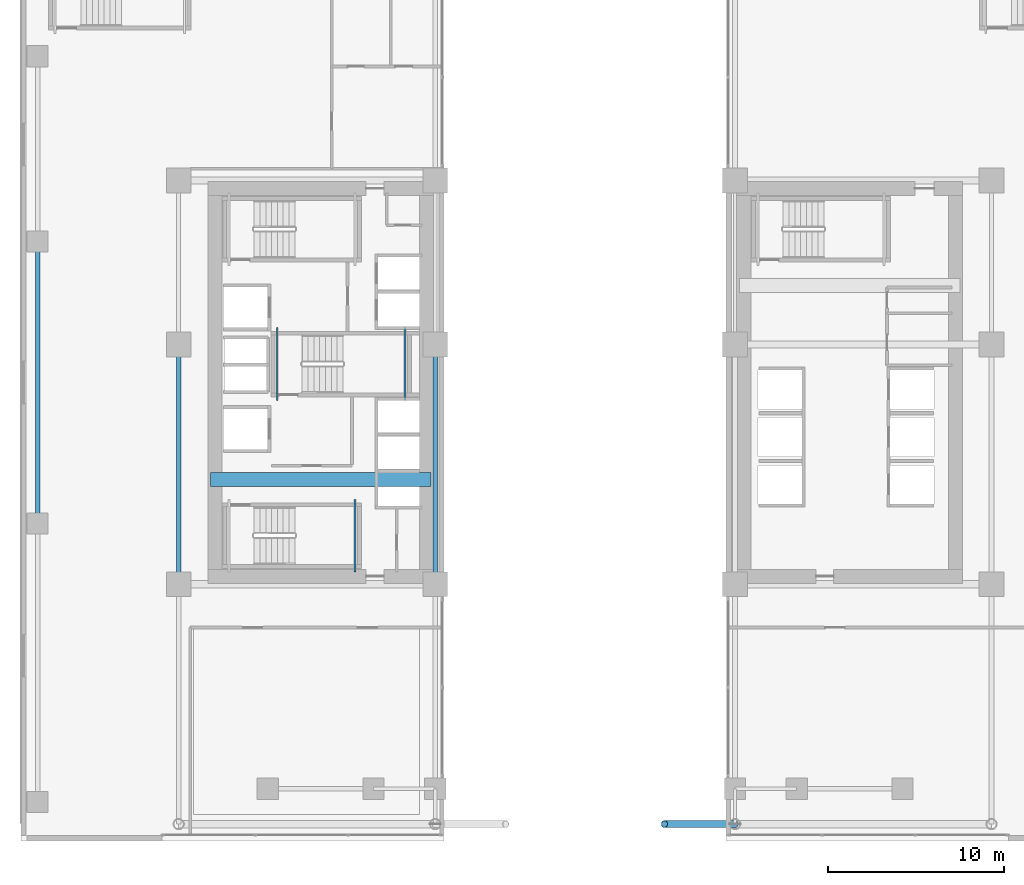
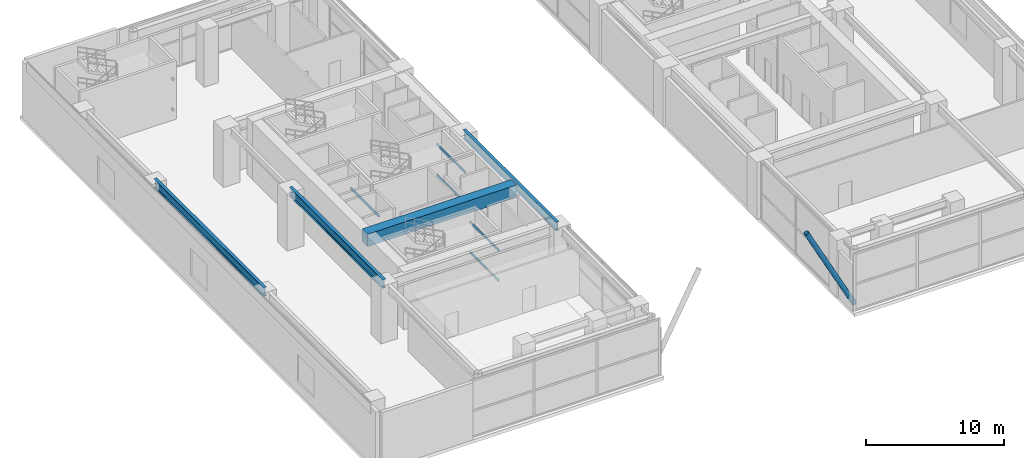
# One storey, part 7 of 29: 9 beams, 1 member.
"""IFC4 building model written with IfcOpenShell, lengths in metres."""

from ifc_helpers import new_model, si_unit, direction, frame, origin, origin_2d, place, context, subcontext, project, spatial, rectangle, hollow_rectangle, hollow_circle, i_section, extrude, source, transform, mapped, material, material_profile, profile_set, type_object, element, save


model = new_model("IFC4")

# Units and contexts
model_context = context("Model", 3, precision=1e-05, world=origin(), true_north=direction((0.0, 1.0)))
body_context = subcontext(model_context, "Body", "Model", "MODEL_VIEW")
ifc_project = project(units=[si_unit("LENGTHUNIT", "METRE"), si_unit("AREAUNIT", "SQUARE_METRE"), si_unit("VOLUMEUNIT", "CUBIC_METRE"), si_unit("PLANEANGLEUNIT", "RADIAN"), si_unit("MASSUNIT", "GRAM", prefix="KILO")], contexts=[model_context])

# Site, building, storey
site_placement = place(None, origin())
site = spatial("IfcSite", under=ifc_project, at=site_placement, CompositionType="ELEMENT")
building_placement = place(site_placement, origin())
building = spatial("IfcBuilding", under=site, at=building_placement, Name="Ocotamira Hotel", CompositionType="ELEMENT")
storey_placement = place(building_placement, frame((0.0, 0.0, 6.0)))
storey = spatial("IfcBuildingStorey", under=building, at=storey_placement, Name="L02", CompositionType="ELEMENT", Elevation=6.0)

# Beams
ifc_material_1 = material(Name="Concrete C60/75", Category="concrete")
ifc_material_profile_1 = material_profile(ifc_material_1, rectangle(XDim=0.800048828125, YDim=1.10009765625, at=origin_2d()), Name="RC800X1100")
ifc_profile_set_1 = profile_set([ifc_material_profile_1], Name="Concrete C60/75")
beam_type_1 = type_object("IfcBeamType", Name="BM-LINK-RC800", PredefinedType="LINTEL", material=ifc_profile_set_1)
shared_shape_1 = source(origin(), body_context, "Body", "SweptSolid", [
    extrude(rectangle(XDim=0.800048828125, YDim=1.10009765625, at=origin_2d()), origin(), (0.0, 0.0, 1.0), 12.5),
])
beam_1_placement = place(storey_placement, frame((10.75, 20.5, 4.530029296875), z_axis=(1.0, 0.0, 0.0), x_axis=(0.0, 1.0, 0.0)))
element("IfcBeam", 1, at=beam_1_placement, inside=storey, type_object=beam_type_1, Name="L02 West Core Coupling Beam", PredefinedType="LINTEL", context=body_context, shape_type="MappedRepresentation", body=[
    mapped(shared_shape_1, transform((0.0, 0.0, 0.0), scale=1.0)),
])
ifc_material_2 = material(Name="Steel ASTM A500 Grade C", Category="steel")
ifc_material_profile_2 = material_profile(ifc_material_2, hollow_rectangle(XDim=0.10009765625, YDim=0.199951171875, WallThickness=0.008056640625, at=origin_2d()), Name="HSS200X100X8")
ifc_profile_set_2 = profile_set([ifc_material_profile_2], Name="Steel ASTM A500 Grade C")
beam_type_2 = type_object("IfcBeamType", Name="BM-STLDG-HSS200", PredefinedType="BEAM", material=ifc_profile_set_2)
shared_shape_2 = source(origin(), body_context, "Body", "SweptSolid", [
    extrude(hollow_rectangle(XDim=0.10009765625, YDim=0.199951171875, WallThickness=0.008056640625, at=origin_2d()), origin(), (0.0, 0.0, 1.0), 4.1201171875),
])
for number, where, z_axis, x_axis, name in (
    (2, (18.949951171875, 15.25, 1.050048828125), (0.0, 1.0, 0.0), (-1.0, 0.0, 0.0), "L02 Stair ST-1 Landing Bearer 1"),
    (3, (18.949951171875, 15.25, 3.75), (0.0, 1.0, 0.0), (-1.0, 0.0, 0.0), "L02 Stair ST-1 Landing Bearer 3"),
    (4, (21.780029296875, 24.97998046875, 1.050048828125), (0.0, 1.0, 0.0), (-1.0, 0.0, 0.0), "L02 Stair ST-3 Landing Bearer 1"),
    (5, (14.5400390625, 24.97998046875, 2.39990234375), (0.0, 1.0, 0.0), (-1.0, 0.0, 0.0), "L02 Stair ST-3 Landing Bearer 2"),
    (6, (21.780029296875, 24.97998046875, 3.75), (0.0, 1.0, 0.0), (-1.0, 0.0, 0.0), "L02 Stair ST-3 Landing Bearer 3"),
):
    element("IfcBeam", number, at=place(storey_placement, frame(where, z_axis=z_axis, x_axis=x_axis)), inside=storey, type_object=beam_type_2, Name=name, PredefinedType="BEAM", context=body_context, shape_type="MappedRepresentation", body=[
        mapped(shared_shape_2, transform((0.0, 0.0, 0.0), scale=1.0)),
    ])
ifc_material_3 = material(Name="Steel ASTM A992 Grade 50", Category="steel")
ifc_material_profile_3 = material_profile(ifc_material_3, i_section(OverallWidth=0.26611328125, OverallDepth=0.779052734375, WebThickness=0.0166015625, FlangeThickness=0.030029296875, FilletRadius=0.01806640625, at=origin_2d()), Name="W30X148")
ifc_profile_set_3 = profile_set([ifc_material_profile_3], Name="Steel ASTM A992 Grade 50")
beam_type_3 = type_object("IfcBeamType", Name="BM-GIRD-W30X148", PredefinedType="BEAM", material=ifc_profile_set_3)
shared_shape_3 = source(origin(), body_context, "Body", "SweptSolid", [
    extrude(i_section(OverallWidth=0.26611328125, OverallDepth=0.779052734375, WebThickness=0.0166015625, FlangeThickness=0.030029296875, FilletRadius=0.01806640625, at=origin_2d()), origin(), (0.0, 0.0, 1.0), 16.0),
])
beam_2_placement = place(storey_placement, frame((0.949951171875, 18.0, 4.6904296875), z_axis=(0.0, 1.0, 0.0), x_axis=(-1.0, 0.0, 0.0)))
element("IfcBeam", 7, at=beam_2_placement, inside=storey, type_object=beam_type_3, Name="L02 Beam X0.95 Y18-34", PredefinedType="BEAM", context=body_context, shape_type="MappedRepresentation", body=[
    mapped(shared_shape_3, transform((0.0, 0.0, 0.0), scale=1.0)),
])
shared_shape_4 = source(origin(), body_context, "Body", "SweptSolid", [
    extrude(i_section(OverallWidth=0.26611328125, OverallDepth=0.779052734375, WebThickness=0.0166015625, FlangeThickness=0.030029296875, FilletRadius=0.01806640625, at=origin_2d()), origin(), (0.0, 0.0, 1.0), 13.599853515625),
])
for number, where, z_axis, x_axis, name in (
    (8, (8.949951171875, 14.550048828125, 4.6904296875), (0.0, 1.0, 0.0), (-1.0, 0.0, 0.0), "L02 Beam X8.95 Y14.55-28.15"),
    (9, (23.5, 14.550048828125, 4.6904296875), (0.0, 1.0, 0.0), (-1.0, 0.0, 0.0), "L02 Beam X23.5 Y14.55-28.15"),
):
    element("IfcBeam", number, at=place(storey_placement, frame(where, z_axis=z_axis, x_axis=x_axis)), inside=storey, type_object=beam_type_3, Name=name, PredefinedType="BEAM", context=body_context, shape_type="MappedRepresentation", body=[
        mapped(shared_shape_4, transform((0.0, 0.0, 0.0), scale=1.0)),
    ])

# Member
ifc_material_4 = material(Name="Pale-metal coated steel ASTM A500 Grade C", Category="steel")
ifc_material_profile_4 = material_profile(ifc_material_4, hollow_circle(Radius=0.202880859375, WallThickness=0.01611328125, at=origin_2d()), Name="CHS406X16")
ifc_profile_set_4 = profile_set([ifc_material_profile_4], Name="Pale-metal coated steel ASTM A500 Grade C")
member_type = type_object("IfcMemberType", Name="MEM-ARCH-CHS406", PredefinedType="CHORD", material=ifc_profile_set_4)
shared_shape_5 = source(origin(), body_context, "Body", "SweptSolid", [
    extrude(hollow_circle(Radius=0.202880859375, WallThickness=0.01611328125, at=origin_2d()), origin(), (0.0, 0.0, 1.0), 8.58837890625),
])
member_placement = place(storey_placement, frame((36.5, 0.949951171875, 7.800048828125), z_axis=(0.465741746442, 0.0, -0.884920688888), x_axis=(0.0, 1.0, 0.0)))
element("IfcMember", 10, at=member_placement, inside=storey, type_object=member_type, Name="Giant Portal Arch Rib S4", PredefinedType="CHORD", context=body_context, shape_type="MappedRepresentation", body=[
    mapped(shared_shape_5, transform((0.0, 0.0, 0.0), scale=1.0)),
])

save(model, "model.ifc")
